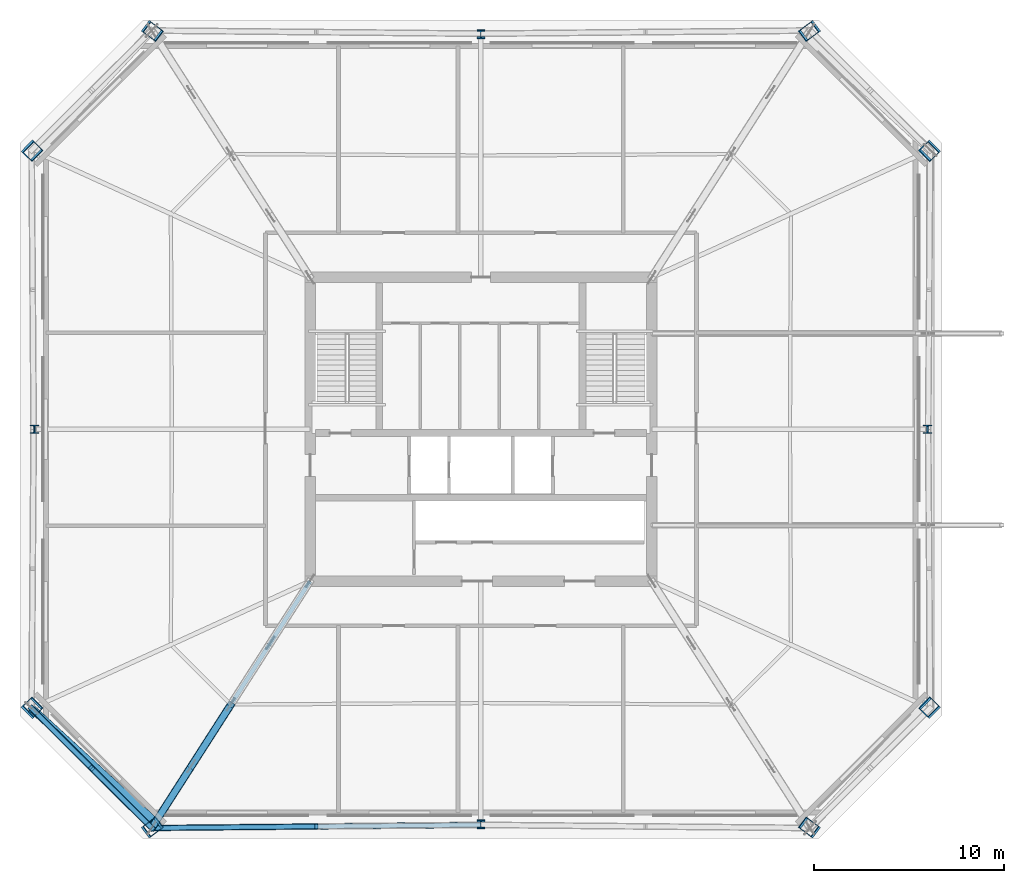
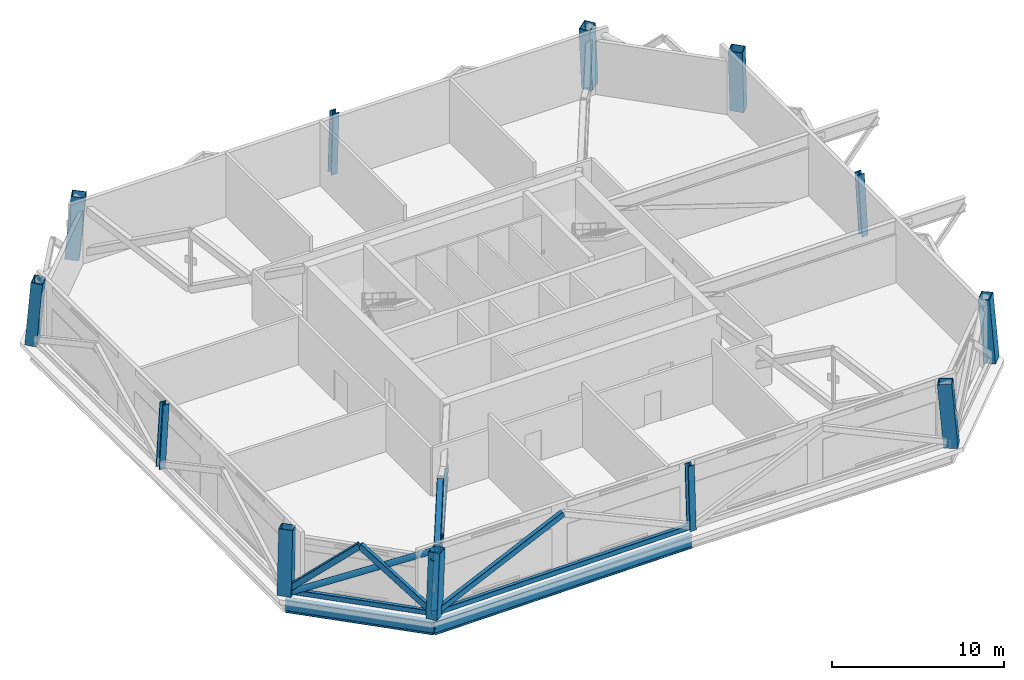
# One storey, part 1 of 15: 12 columns, 9 members, 3 beams.
"""IFC4 building model written with IfcOpenShell, lengths in metres."""

from ifc_helpers import new_model, si_unit, direction, frame, origin, origin_2d, place, context, subcontext, project, spatial, hollow_rectangle, hollow_circle, i_section, extrude, material, material_profile, profile_set, type_object, element, save


model = new_model("IFC4")

# Units and contexts
model_context = context("Model", 3, precision=1e-05, world=origin(), true_north=direction((0.0, 1.0)))
body_context = subcontext(model_context, "Body", "Model", "MODEL_VIEW")
ifc_project = project(units=[si_unit("LENGTHUNIT", "METRE"), si_unit("AREAUNIT", "SQUARE_METRE"), si_unit("VOLUMEUNIT", "CUBIC_METRE"), si_unit("PLANEANGLEUNIT", "RADIAN"), si_unit("MASSUNIT", "GRAM", prefix="KILO")], contexts=[model_context])

# Site, building, storey
site_placement = place(None, origin())
site = spatial("IfcSite", under=ifc_project, at=site_placement, CompositionType="ELEMENT")
building_placement = place(site_placement, origin())
building = spatial("IfcBuilding", under=site, at=building_placement, Name="Caelvoria Tower", CompositionType="ELEMENT")
storey_placement = place(building_placement, frame((0.0, 0.0, 167.199951171875)))
storey = spatial("IfcBuildingStorey", under=building, at=storey_placement, Name="L44", CompositionType="ELEMENT", Elevation=167.199951171875)

# Columns
ifc_material_1 = material(Name="Structural Steel ASTM A572 Gr.50", Category="steel")
ifc_material_profile_1 = material_profile(ifc_material_1, hollow_rectangle(XDim=0.699951171875, YDim=0.85009765625, WallThickness=0.0400390625, at=origin_2d()), Name="Structural Steel ASTM A572 Gr.50")
ifc_profile_set_1 = profile_set([ifc_material_profile_1], Name="BOX850X700X40 - Structural Steel ASTM A572 Gr.50")
column_type_1 = type_object("IfcColumnType", Name="Mega Box Column 850x700x40", PredefinedType="COLUMN", material=ifc_profile_set_1)
for number, where, z_axis, x_axis, name in (
    (1, (28.658447265625, 10.9951171875, 0.0), (0.066340644404, 0.049334402227, 0.996576658194), (-0.596735319667, 0.802438133604, 0.0), "Perimeter Megaframe Column L44-P00"),
    (2, (63.341552734375, 10.9951171875, 0.0), (-0.066340644404, 0.049334402227, 0.996576658194), (-0.596735319667, -0.802438133604, 0.0), "Perimeter Megaframe Column L44-P02"),
):
    element("IfcColumn", number, at=place(storey_placement, frame(where, z_axis=z_axis, x_axis=x_axis)), inside=storey, type_object=column_type_1, Name=name, PredefinedType="COLUMN", context=body_context, shape_type="SweptSolid", body=[
        extrude(hollow_rectangle(XDim=0.699951171875, YDim=0.85009765625, WallThickness=0.0400390625, at=origin_2d()), origin(), (0.0, 0.0, 1.0), 4.493408203125),
    ])
for number, where, z_axis, x_axis, name in (
    (3, (69.66845703125, 17.2998046875, 0.0), (-0.05814073545, 0.057488689819, 0.996651747314), (0.708702034223, -0.700753974026, 0.0817636507), "Perimeter Megaframe Column L44-P03"),
    (4, (69.66845703125, 46.7001953125, 0.0), (-0.05814073545, -0.057488689819, 0.996651747314), (0.708702034223, 0.700753974026, 0.0817636507), "Perimeter Megaframe Column L44-P05"),
):
    element("IfcColumn", number, at=place(storey_placement, frame(where, z_axis=z_axis, x_axis=x_axis)), inside=storey, type_object=column_type_1, Name=name, PredefinedType="COLUMN", context=body_context, shape_type="SweptSolid", body=[
        extrude(hollow_rectangle(XDim=0.699951171875, YDim=0.85009765625, WallThickness=0.0400390625, at=origin_2d()), origin(), (0.0, 0.0, 1.0), 4.4931640625),
    ])
for number, where, z_axis, x_axis, name in (
    (5, (63.341552734375, 53.0048828125, 0.0), (-0.066340644404, -0.049334402227, 0.996576658194), (0.596735319667, -0.802438133604, 0.0), "Perimeter Megaframe Column L44-P06"),
    (6, (28.658447265625, 53.0048828125, 0.0), (0.066340644404, -0.049334402227, 0.996576658194), (0.596735319667, 0.802438133604, 0.0), "Perimeter Megaframe Column L44-P08"),
):
    element("IfcColumn", number, at=place(storey_placement, frame(where, z_axis=z_axis, x_axis=x_axis)), inside=storey, type_object=column_type_1, Name=name, PredefinedType="COLUMN", context=body_context, shape_type="SweptSolid", body=[
        extrude(hollow_rectangle(XDim=0.699951171875, YDim=0.85009765625, WallThickness=0.0400390625, at=origin_2d()), origin(), (0.0, 0.0, 1.0), 4.493408203125),
    ])
for number, where, z_axis, x_axis, name in (
    (7, (22.33154296875, 46.7001953125, 0.0), (0.05814073545, -0.057488689819, 0.996651747314), (-0.708702034223, 0.700753974026, 0.0817636507), "Perimeter Megaframe Column L44-P09"),
    (8, (22.33154296875, 17.2998046875, 0.0), (0.05814073545, 0.057488689819, 0.996651747314), (-0.708702034223, -0.700753974026, 0.0817636507), "Perimeter Megaframe Column L44-P11"),
):
    element("IfcColumn", number, at=place(storey_placement, frame(where, z_axis=z_axis, x_axis=x_axis)), inside=storey, type_object=column_type_1, Name=name, PredefinedType="COLUMN", context=body_context, shape_type="SweptSolid", body=[
        extrude(hollow_rectangle(XDim=0.699951171875, YDim=0.85009765625, WallThickness=0.0400390625, at=origin_2d()), origin(), (0.0, 0.0, 1.0), 4.4931640625),
    ])
ifc_material_2 = material(Name="Structural Steel ASTM A992 Gr.50", Category="steel")
ifc_material_profile_2 = material_profile(ifc_material_2, i_section(OverallWidth=0.406005859375, OverallDepth=0.425048828125, WebThickness=0.03271484375, FlangeThickness=0.052490234375, FilletRadius=0.02490234375, at=origin_2d()), Name="Structural Steel ASTM A992 Gr.50")
ifc_profile_set_2 = profile_set([ifc_material_profile_2], Name="W360X421 - Structural Steel ASTM A992 Gr.50")
column_type_2 = type_object("IfcColumnType", Name="Mid Frame Column W360X421", PredefinedType="COLUMN", material=ifc_profile_set_2)
column_1_placement = place(storey_placement, frame((46.0, 11.159912109375, 0.0), z_axis=(0.0, 0.049063074345, 0.998795682177), x_axis=(-1.0, 0.0, 0.0)))
element("IfcColumn", 9, at=column_1_placement, inside=storey, type_object=column_type_2, Name="Perimeter Megaframe Column L44-P01", PredefinedType="COLUMN", context=body_context, shape_type="SweptSolid", body=[
    extrude(i_section(OverallWidth=0.406005859375, OverallDepth=0.425048828125, WebThickness=0.03271484375, FlangeThickness=0.052490234375, FilletRadius=0.02490234375, at=origin_2d()), origin(), (0.0, 0.0, 1.0), 4.4833984375),
])
column_2_placement = place(storey_placement, frame((69.56005859375, 32.0, 0.0), z_axis=(-0.057965831125, 0.0, 0.998318567604), x_axis=(0.998318567604, 0.0, 0.057965831125)))
element("IfcColumn", 10, at=column_2_placement, inside=storey, type_object=column_type_2, Name="Perimeter Megaframe Column L44-P04", PredefinedType="COLUMN", context=body_context, shape_type="SweptSolid", body=[
    extrude(i_section(OverallWidth=0.406005859375, OverallDepth=0.425048828125, WebThickness=0.03271484375, FlangeThickness=0.052490234375, FilletRadius=0.02490234375, at=origin_2d()), origin(), (0.0, 0.0, 1.0), 4.485595703125),
])
column_3_placement = place(storey_placement, frame((46.0, 52.840087890625, 0.0), z_axis=(0.0, -0.049063074345, 0.998795682177), x_axis=(1.0, 0.0, 0.0)))
element("IfcColumn", 11, at=column_3_placement, inside=storey, type_object=column_type_2, Name="Perimeter Megaframe Column L44-P07", PredefinedType="COLUMN", context=body_context, shape_type="SweptSolid", body=[
    extrude(i_section(OverallWidth=0.406005859375, OverallDepth=0.425048828125, WebThickness=0.03271484375, FlangeThickness=0.052490234375, FilletRadius=0.02490234375, at=origin_2d()), origin(), (0.0, 0.0, 1.0), 4.4833984375),
])
column_4_placement = place(storey_placement, frame((22.43994140625, 32.0, 0.0), z_axis=(0.057965831125, 0.0, 0.998318567604), x_axis=(-0.998318567604, 0.0, 0.057965831125)))
element("IfcColumn", 12, at=column_4_placement, inside=storey, type_object=column_type_2, Name="Perimeter Megaframe Column L44-P10", PredefinedType="COLUMN", context=body_context, shape_type="SweptSolid", body=[
    extrude(i_section(OverallWidth=0.406005859375, OverallDepth=0.425048828125, WebThickness=0.03271484375, FlangeThickness=0.052490234375, FilletRadius=0.02490234375, at=origin_2d()), origin(), (0.0, 0.0, 1.0), 4.485595703125),
])

# Members
ifc_material_profile_3 = material_profile(ifc_material_1, hollow_rectangle(XDim=0.25, YDim=0.35009765625, WallThickness=0.013916015625, InnerFilletRadius=0.013916015625, OuterFilletRadius=0.028076171875, at=origin_2d()), Name="Structural Steel ASTM A572 Gr.50")
ifc_profile_set_3 = profile_set([ifc_material_profile_3], Name="HSS350X250X14 - Structural Steel ASTM A572 Gr.50")
member_type_1 = type_object("IfcMemberType", Name="Belt Truss Chord Member HSS350X250X14", PredefinedType="CHORD", material=ifc_profile_set_3)
member_1_placement = place(storey_placement, frame((28.658447265625, 10.9951171875, 0.25), z_axis=(0.999954850569, 0.009502464053, 0.0), x_axis=(-0.009502464053, 0.999954850569, 0.0)))
element("IfcMember", 13, at=member_1_placement, inside=storey, type_object=member_type_1, Name="Belt Truss Bottom Chord L44-00", PredefinedType="CHORD", context=body_context, shape_type="SweptSolid", body=[
    extrude(hollow_rectangle(XDim=0.25, YDim=0.35009765625, WallThickness=0.013916015625, InnerFilletRadius=0.013916015625, OuterFilletRadius=0.028076171875, at=origin_2d()), origin(), (0.0, 0.0, 1.0), 17.34228515625),
])
member_2_placement = place(storey_placement, frame((22.33154296875, 17.2998046875, 0.25), z_axis=(0.708349364736, -0.705862010224, 0.0), x_axis=(0.705862010224, 0.708349364736, 0.0)))
element("IfcMember", 14, at=member_2_placement, inside=storey, type_object=member_type_1, Name="Belt Truss Bottom Chord L44-11", PredefinedType="CHORD", context=body_context, shape_type="SweptSolid", body=[
    extrude(hollow_rectangle(XDim=0.25, YDim=0.35009765625, WallThickness=0.013916015625, InnerFilletRadius=0.013916015625, OuterFilletRadius=0.028076171875, at=origin_2d()), origin(), (0.0, 0.0, 1.0), 8.931884765625),
])
ifc_material_profile_4 = material_profile(ifc_material_1, hollow_rectangle(XDim=0.300048828125, YDim=0.39990234375, WallThickness=0.01611328125, InnerFilletRadius=0.01611328125, OuterFilletRadius=0.031982421875, at=origin_2d()), Name="Structural Steel ASTM A572 Gr.50")
ifc_profile_set_4 = profile_set([ifc_material_profile_4], Name="HSS400X300X16 - Structural Steel ASTM A572 Gr.50")
member_type_2 = type_object("IfcMemberType", Name="Belt Truss Diagonal HSS400X300X16", PredefinedType="BRACE", material=ifc_profile_set_4)
member_3_placement = place(storey_placement, frame((28.658447265625, 10.9951171875, 0.25), z_axis=(0.908795233621, 0.008649100069, 0.4171527495), x_axis=(-0.00951667447, 0.999954715428, 0.0)))
element("IfcMember", 15, at=member_3_placement, inside=storey, type_object=member_type_2, Name="Belt Truss Diagonal L44-00A", PredefinedType="BRACE", context=body_context, shape_type="SweptSolid", body=[
    extrude(hollow_rectangle(XDim=0.300048828125, YDim=0.39990234375, WallThickness=0.01611328125, InnerFilletRadius=0.01611328125, OuterFilletRadius=0.031982421875, at=origin_2d()), origin(), (0.0, 0.0, 1.0), 9.540771484375),
])
member_4_placement = place(storey_placement, frame((22.33154296875, 17.2998046875, 0.25), z_axis=(0.528849993057, -0.526931799688, 0.66532741062), x_axis=(0.705820911832, 0.708390316437, 0.0)))
element("IfcMember", 16, at=member_4_placement, inside=storey, type_object=member_type_2, Name="Belt Truss Diagonal L44-11A", PredefinedType="BRACE", context=body_context, shape_type="SweptSolid", body=[
    extrude(hollow_rectangle(XDim=0.300048828125, YDim=0.39990234375, WallThickness=0.01611328125, InnerFilletRadius=0.01611328125, OuterFilletRadius=0.031982421875, at=origin_2d()), origin(), (0.0, 0.0, 1.0), 5.98193359375),
])
member_5_placement = place(storey_placement, frame((25.4951171875, 14.147705078125, 4.22998046875), z_axis=(0.528797847703, -0.527002130693, -0.665313152215), x_axis=(0.70590310466, 0.708308412227, 0.0)))
element("IfcMember", 17, at=member_5_placement, inside=storey, type_object=member_type_2, Name="Belt Truss Diagonal L44-11B", PredefinedType="BRACE", context=body_context, shape_type="SweptSolid", body=[
    extrude(hollow_rectangle(XDim=0.300048828125, YDim=0.39990234375, WallThickness=0.01611328125, InnerFilletRadius=0.01611328125, OuterFilletRadius=0.031982421875, at=origin_2d()), origin(), (0.0, 0.0, 1.0), 5.982177734375),
])
ifc_material_profile_5 = material_profile(ifc_material_1, hollow_rectangle(XDim=0.39990234375, YDim=0.5, WallThickness=0.02197265625, InnerFilletRadius=0.02197265625, OuterFilletRadius=0.0439453125, at=origin_2d()), Name="Structural Steel ASTM A572 Gr.50")
ifc_profile_set_5 = profile_set([ifc_material_profile_5], Name="HSS500X400X22 - Structural Steel ASTM A572 Gr.50")
member_type_3 = type_object("IfcMemberType", Name="Outrigger Diagonal HSS500X400X22", PredefinedType="BRACE", material=ifc_profile_set_5)
member_6_placement = place(storey_placement, frame((32.8291015625, 17.49755859375, 0.25), z_axis=(-0.479936421488, -0.748265916403, 0.457994704859), x_axis=(0.841736627266, -0.539888368386, 0.0)))
element("IfcMember", 18, at=member_6_placement, inside=storey, type_object=member_type_3, Name="Outrigger Truss Diagonal L44-SW-2A", PredefinedType="BRACE", context=body_context, shape_type="SweptSolid", body=[
    extrude(hollow_rectangle(XDim=0.39990234375, YDim=0.5, WallThickness=0.02197265625, InnerFilletRadius=0.02197265625, OuterFilletRadius=0.0439453125, at=origin_2d()), origin(), (0.0, 0.0, 1.0), 8.68994140625),
])
for number, where, z_axis, x_axis, name in (
    (19, (32.8291015625, 17.49755859375, 4.22998046875), (-0.479914797896, -0.74827600557, -0.458000880183), (0.841750989382, -0.539865975844, 0.0), "Outrigger Truss Diagonal L44-SW-2B1"),
    (20, (30.743896484375, 14.246337890625, 2.239990234375), (-0.479958044206, -0.748255827054, -0.457988529422), (0.841722265045, -0.539910759782, 0.0), "Outrigger Truss Diagonal L44-SW-2B2"),
):
    element("IfcMember", number, at=place(storey_placement, frame(where, z_axis=z_axis, x_axis=x_axis)), inside=storey, type_object=member_type_3, Name=name, PredefinedType="BRACE", context=body_context, shape_type="SweptSolid", body=[
        extrude(hollow_rectangle(XDim=0.39990234375, YDim=0.5, WallThickness=0.02197265625, InnerFilletRadius=0.02197265625, OuterFilletRadius=0.0439453125, at=origin_2d()), origin(), (0.0, 0.0, 1.0), 4.344970703125),
    ])

# Beams
ifc_material_profile_6 = material_profile(ifc_material_2, i_section(OverallWidth=0.30810546875, OverallDepth=0.927001953125, WebThickness=0.019287109375, FlangeThickness=0.031982421875, FilletRadius=0.02392578125, at=origin_2d()), Name="Structural Steel ASTM A992 Gr.50")
ifc_profile_set_6 = profile_set([ifc_material_profile_6], Name="W920X289 - Structural Steel ASTM A992 Gr.50")
beam_type_1 = type_object("IfcBeamType", Name="Outrigger Tie Girder W920X289", PredefinedType="BEAM", material=ifc_profile_set_6)
beam_1_placement = place(storey_placement, frame((28.658447265625, 10.9951171875, -0.783447265625), z_axis=(0.999954850569, 0.009502464053, 0.0), x_axis=(-0.009502464053, 0.999954850569, 0.0)))
element("IfcBeam", 21, at=beam_1_placement, inside=storey, type_object=beam_type_1, Name="Perimeter Spandrel Girder L44-00", PredefinedType="BEAM", context=body_context, shape_type="SweptSolid", body=[
    extrude(i_section(OverallWidth=0.30810546875, OverallDepth=0.927001953125, WebThickness=0.019287109375, FlangeThickness=0.031982421875, FilletRadius=0.02392578125, at=origin_2d()), origin(), (0.0, 0.0, 1.0), 17.34228515625),
])
beam_2_placement = place(storey_placement, frame((22.33154296875, 17.2998046875, -0.783447265625), z_axis=(0.708349364736, -0.705862010224, 0.0), x_axis=(0.705862010224, 0.708349364736, 0.0)))
element("IfcBeam", 22, at=beam_2_placement, inside=storey, type_object=beam_type_1, Name="Perimeter Spandrel Girder L44-11", PredefinedType="BEAM", context=body_context, shape_type="SweptSolid", body=[
    extrude(i_section(OverallWidth=0.30810546875, OverallDepth=0.927001953125, WebThickness=0.019287109375, FlangeThickness=0.031982421875, FilletRadius=0.02392578125, at=origin_2d()), origin(), (0.0, 0.0, 1.0), 8.931884765625),
])
ifc_material_profile_7 = material_profile(ifc_material_2, i_section(OverallWidth=0.22802734375, OverallDepth=0.60302734375, WebThickness=0.010498046875, FlangeThickness=0.014892578125, FilletRadius=0.01806640625, at=origin_2d()), Name="Structural Steel ASTM A992 Gr.50")
ifc_profile_set_7 = profile_set([ifc_material_profile_7], Name="W610X101 - Structural Steel ASTM A992 Gr.50")
beam_type_2 = type_object("IfcBeamType", Name="Primary Floor Girder W610X101", PredefinedType="BEAM", material=ifc_profile_set_7)
beam_3_placement = place(storey_placement, frame((37.0, 24.0, -0.621337890625), z_axis=(-0.539899564227, -0.841729446169, 0.0), x_axis=(0.841729446169, -0.539899564227, 0.0)))
element("IfcBeam", 23, at=beam_3_placement, inside=storey, type_object=beam_type_2, Name="Primary Floor Girder L44-00", PredefinedType="BEAM", context=body_context, shape_type="SweptSolid", body=[
    extrude(i_section(OverallWidth=0.22802734375, OverallDepth=0.60302734375, WebThickness=0.010498046875, FlangeThickness=0.014892578125, FilletRadius=0.01806640625, at=origin_2d()), origin(), (0.0, 0.0, 1.0), 15.4501953125),
])

# Member
ifc_material_profile_8 = material_profile(ifc_material_1, hollow_circle(Radius=0.202880859375, WallThickness=0.01611328125, at=origin_2d()), Name="Structural Steel ASTM A572 Gr.50")
ifc_profile_set_8 = profile_set([ifc_material_profile_8], Name="CHS406X16 - Structural Steel ASTM A572 Gr.50")
member_type_4 = type_object("IfcMemberType", Name="Upper Perimeter Mega Brace CHS406X16", PredefinedType="BRACE", material=ifc_profile_set_8)
member_7_placement = place(storey_placement, frame((22.33154296875, 17.2998046875, 0.0), z_axis=(0.659330195146, -0.60539029858, 0.445854550447), x_axis=(0.676334074662, 0.736595017259, 0.0)))
element("IfcMember", 24, at=member_7_placement, inside=storey, type_object=member_type_4, Name="Perimeter Chamfer Mega Brace L44 SW", PredefinedType="BRACE", context=body_context, shape_type="SweptSolid", body=[
    extrude(hollow_circle(Radius=0.202880859375, WallThickness=0.01611328125, at=origin_2d()), origin(), (0.0, 0.0, 1.0), 10.048095703125),
])

save(model, "model.ifc")
